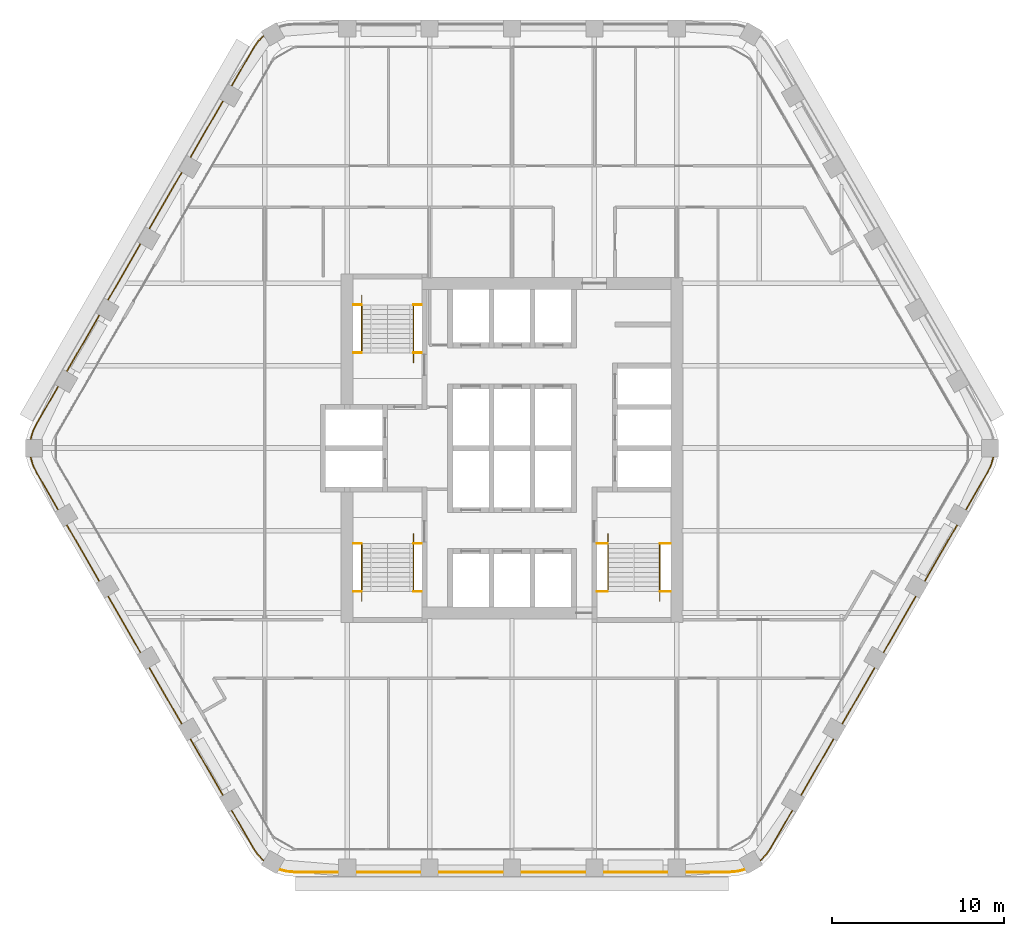
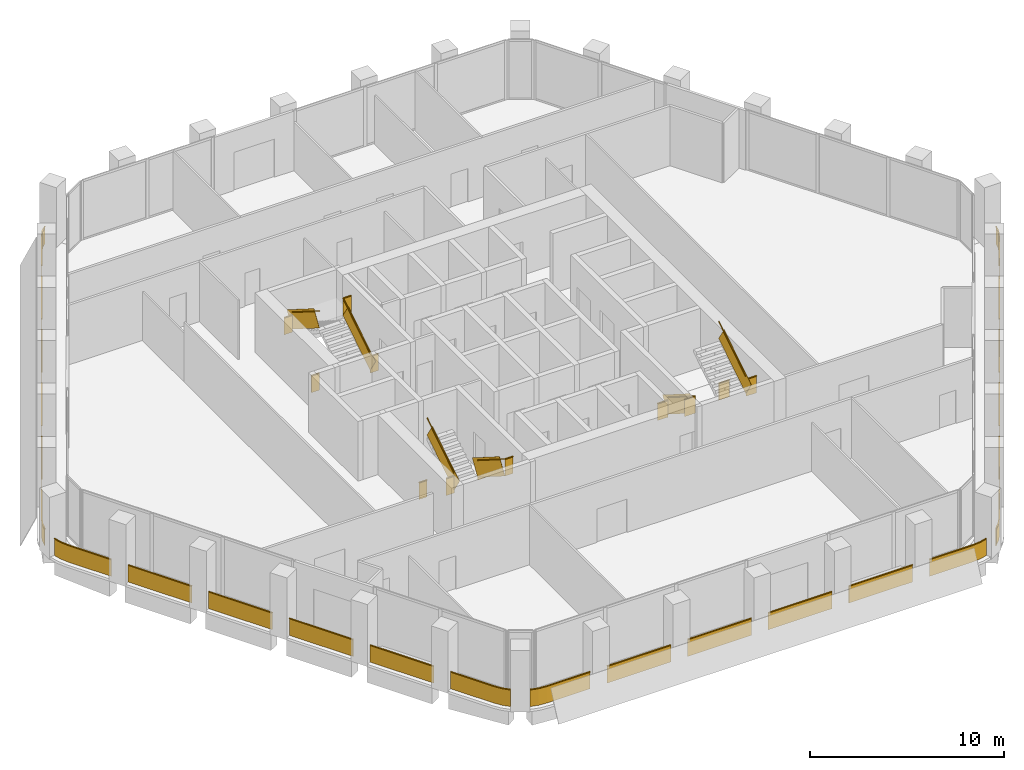
# One storey, part 14 of 15: 10 railings.
"""IFC4 building model written with IfcOpenShell, lengths in metres."""

import ifcopenshell
import ifcopenshell.guid

model = None  # the IFC model being written
_history = None  # IfcOwnerHistory: only IFC2X3 demands one
_inside = {}  # id of a spatial element -> (the spatial element, [elements in it])
_under = {}  # id of a project, library or spatial element -> (it, [spatial elements below it])
_declared = {}  # id of a project -> (the project, [libraries it declares])
_typed = {}  # id of a type object -> (the type object, [elements of that type])
_made_of = {}  # id of a material, layer set ... -> (it, [elements and type objects made of it])


def new_model(schema):
    """Start an empty IFC model of exactly this schema.

    Asked for "IFC4X3", IfcOpenShell would pick the latest addendum, in which some entities
    have other attributes; the version numbers below select the first issue.
    IFC2X3 requires an IfcOwnerHistory on every rooted entity: one is made here for all.
    """
    global model, _history
    if schema == "IFC4X3":
        model = ifcopenshell.file(schema_version=(4, 3, 0, 0))
    else:
        model = ifcopenshell.file(schema=schema)
    _inside.clear()
    _under.clear()
    _declared.clear()
    _typed.clear()
    _made_of.clear()
    _history = None
    if model.schema == "IFC2X3":
        org = make("IfcOrganization", Name="unknown")
        user = make(
            "IfcPersonAndOrganization",
            ThePerson=make("IfcPerson", FamilyName="unknown"),
            TheOrganization=org,
        )
        app = make(
            "IfcApplication",
            ApplicationDeveloper=org,
            Version="unknown",
            ApplicationFullName="unknown",
            ApplicationIdentifier="unknown",
        )
        _history = make(
            "IfcOwnerHistory",
            OwningUser=user,
            OwningApplication=app,
            ChangeAction="ADDED",
            CreationDate=0,
        )
    return model


def make(cls, **values):
    """One entity of the class cls with the attributes given. An attribute that is None is left unset."""
    return model.create_entity(
        cls, **{name: value for name, value in values.items() if value is not None}
    )


def rooted(cls, **values):
    """An entity with a GlobalId (a new one), such as an element, a storey or a relation."""
    return make(cls, GlobalId=ifcopenshell.guid.new(), OwnerHistory=_history, **values)


def si_unit(unit_type, name, prefix=None):
    """IfcSIUnit, for example si_unit("LENGTHUNIT", "METRE", prefix="MILLI")."""
    return make("IfcSIUnit", UnitType=unit_type, Prefix=prefix, Name=name)


def assignment(units):
    """IfcUnitAssignment: the units of a project."""
    return None if units is None else make("IfcUnitAssignment", Units=units)


def point(xyz):
    """IfcCartesianPoint."""
    return None if xyz is None else make("IfcCartesianPoint", Coordinates=xyz)


def direction(xyz):
    """IfcDirection."""
    return None if xyz is None else make("IfcDirection", DirectionRatios=xyz)


def frame(location, z_axis=None, x_axis=None):
    """IfcAxis2Placement3D, a coordinate frame: its origin and axes. An axis left out is left unset."""
    return make(
        "IfcAxis2Placement3D",
        Location=point(location),
        Axis=direction(z_axis),
        RefDirection=direction(x_axis),
    )


def frame_2d(location, x_axis=None):
    """IfcAxis2Placement2D, a coordinate frame in the plane: its origin and x axis."""
    return make(
        "IfcAxis2Placement2D", Location=point(location), RefDirection=direction(x_axis)
    )


def origin():
    """The frame at (0, 0, 0) with its axes left unset."""
    return frame((0.0, 0.0, 0.0))


def origin_2d():
    """The frame at (0, 0) in the plane with its x axis left unset."""
    return frame_2d((0.0, 0.0))


def place(relative_to, where):
    """IfcLocalPlacement: puts the frame where relative to a parent placement (None: the world)."""
    return make(
        "IfcLocalPlacement", PlacementRelTo=relative_to, RelativePlacement=where
    )


def context(
    kind, dimensions, precision=None, world=None, true_north=None, identifier=None
):
    """IfcGeometricRepresentationContext, for example the 3D "Model" context."""
    return make(
        "IfcGeometricRepresentationContext",
        ContextIdentifier=identifier,
        ContextType=kind,
        CoordinateSpaceDimension=dimensions,
        Precision=precision,
        WorldCoordinateSystem=world,
        TrueNorth=true_north,
    )


def subcontext(parent, identifier, kind, view, scale=None):
    """IfcGeometricRepresentationSubContext, for example "Body" below "Model"."""
    return make(
        "IfcGeometricRepresentationSubContext",
        ContextIdentifier=identifier,
        ContextType=kind,
        ParentContext=parent,
        TargetScale=scale,
        TargetView=view,
    )


def project(units=None, contexts=None):
    """IfcProject with its units and contexts."""
    return rooted(
        "IfcProject",
        Name="project",
        RepresentationContexts=contexts,
        UnitsInContext=assignment(units),
    )


def spatial(cls, under=None, at=None, **own):
    """A site, building, storey or space (cls), placed at a placement, below another one or the project."""
    s = rooted(cls, ObjectPlacement=at, **own)
    if under is not None:
        _under.setdefault(under.id(), (under, []))[1].append(s)
    return s


def profile(cls, at=None, kind="AREA", **sizes):
    """A parametric profile (cls). Its sizes go by their IFC names, for example OverallWidth=200.0."""
    return make(cls, ProfileType=kind, Position=at, **sizes)


def rectangle(**sizes):
    """IfcRectangleProfileDef."""
    return profile("IfcRectangleProfileDef", **sizes)


def extrude(swept, where, along, depth):
    """IfcExtrudedAreaSolid: the profile swept, set in the frame where, extruded along a direction by depth."""
    return make(
        "IfcExtrudedAreaSolid",
        SweptArea=swept,
        Position=where,
        ExtrudedDirection=direction(along),
        Depth=depth,
    )


def shape(context_of_items, identifier, shape_type, items):
    """IfcShapeRepresentation: the items that make up one representation, for example the "Body"."""
    return make(
        "IfcShapeRepresentation",
        ContextOfItems=context_of_items,
        RepresentationIdentifier=identifier,
        RepresentationType=shape_type,
        Items=items,
    )


def material(Name=None, Category=None):
    """IfcMaterial."""
    return make("IfcMaterial", Name=Name, Category=Category)


def made_of(thing, what):
    """Note that an element or type object is made of a material, layer set ...; save() writes the relation."""
    if what is not None:
        _made_of.setdefault(what.id(), (what, []))[1].append(thing)
    return thing


def type_object(cls, material=None, **own):
    """A type object (cls), such as IfcWallType, which elements share."""
    return made_of(rooted(cls, **own), material)


def element(
    cls,
    number,
    at=None,
    inside=None,
    cuts=None,
    type_object=None,
    material=None,
    context=None,
    identifier="Body",
    shape_type=None,
    held_by="IfcProductDefinitionShape",
    body=None,
    shapes=None,
    **own,
):
    """One element of the class cls, such as IfcWall. Its Tag is "e" and its number.

    at: its placement. inside: the storey or other place that contains it. cuts: it is an
    opening in that element (IfcRelVoidsElement). A single representation is given by context,
    identifier, shape_type and body (its items); several are given by shapes. held_by: the class
    of the entity that holds the representations. save() writes the other relations.
    """
    e = rooted(cls, Tag="e%d" % number, ObjectPlacement=at, **own)
    if body is not None:
        shapes = [shape(context, identifier, shape_type, body)]
    if shapes is not None:
        e.Representation = make(held_by, Representations=shapes)
    if inside is not None:
        _inside.setdefault(inside.id(), (inside, []))[1].append(e)
    if cuts is not None:
        rooted(
            "IfcRelVoidsElement", RelatingBuildingElement=cuts, RelatedOpeningElement=e
        )
    if type_object is not None:
        _typed.setdefault(type_object.id(), (type_object, []))[1].append(e)
    return made_of(e, material)


def aggregate(whole, parts):
    """IfcRelAggregates: a whole, such as a stair, and the parts it consists of."""
    return rooted("IfcRelAggregates", RelatingObject=whole, RelatedObjects=parts)


def save(model, path):
    """Write the relations noted so far, then the file.

    IfcRelAggregates (storeys below a building ...), IfcRelContainedInSpatialStructure (elements
    in a storey), IfcRelDefinesByType, IfcRelAssociatesMaterial and IfcRelDeclares: one each for
    every whole, place, type object, material and project.
    """
    for whole, parts in _under.values():
        aggregate(whole, parts)
    for where, things in _inside.values():
        rooted(
            "IfcRelContainedInSpatialStructure",
            RelatedElements=things,
            RelatingStructure=where,
        )
    for kind, things in _typed.values():
        rooted("IfcRelDefinesByType", RelatedObjects=things, RelatingType=kind)
    for what, things in _made_of.values():
        rooted("IfcRelAssociatesMaterial", RelatedObjects=things, RelatingMaterial=what)
    for by, libraries in _declared.values():
        rooted("IfcRelDeclares", RelatingContext=by, RelatedDefinitions=libraries)
    model.write(path)


model = new_model("IFC4")

# Units and contexts
model_context = context("Model", 3, precision=1e-05, world=origin(), true_north=direction((0.0, 1.0)))
body_context = subcontext(model_context, "Body", "Model", "MODEL_VIEW")
ifc_project = project(units=[si_unit("LENGTHUNIT", "METRE"), si_unit("AREAUNIT", "SQUARE_METRE"), si_unit("VOLUMEUNIT", "CUBIC_METRE"), si_unit("PLANEANGLEUNIT", "RADIAN"), si_unit("MASSUNIT", "GRAM", prefix="KILO")], contexts=[model_context])

# Site, building, storey
site_placement = place(None, origin())
site = spatial("IfcSite", under=ifc_project, at=site_placement, CompositionType="ELEMENT")
building_placement = place(site_placement, origin())
building = spatial("IfcBuilding", under=site, at=building_placement, Name="Kolab Exchange Tower", CompositionType="ELEMENT")
storey_placement = place(building_placement, frame((0.0, 0.0, 154.39990234375)))
storey = spatial("IfcBuildingStorey", under=building, at=storey_placement, Name="L31", CompositionType="ELEMENT", Elevation=154.39990234375)

# Railings
ifc_material_1 = material(Name="Stainless steel 316", Category="steel")
railing_type_1 = type_object("IfcRailingType", Name="GUARD 1100", PredefinedType="GUARDRAIL", material=ifc_material_1)
railing_1_placement = place(storey_placement, frame((-9.25, 5.550048828125, 0.0)))
element("IfcRailing", 1, at=railing_1_placement, inside=storey, type_object=railing_type_1, Name="Guard ST1", PredefinedType="GUARDRAIL", context=body_context, shape_type="SweptSolid", body=[
    extrude(rectangle(XDim=0.05, YDim=0.05, at=origin_2d()), frame((0.0, 0.0, 1.0751953125), z_axis=(1.0, 0.0, 0.0), x_axis=(0.0, 1.0, 0.0)), (0.0, 0.0, 1.0), 0.489990234375),
    extrude(rectangle(XDim=0.012, YDim=1.05009765625, at=frame_2d((0.0, 0.525146484375))), frame((0.0, 0.0, 0.0), z_axis=(1.0, 0.0, 0.0), x_axis=(0.0, 1.0, 0.0)), (0.0, 0.0, 1.0), 0.489990234375),
    extrude(rectangle(XDim=0.05, YDim=0.05, at=origin_2d()), frame((3.510009765625, 0.0, 1.0751953125), z_axis=(1.0, 0.0, 0.0), x_axis=(0.0, 1.0, 0.0)), (0.0, 0.0, 1.0), 0.489990234375),
    extrude(rectangle(XDim=0.012, YDim=1.05009765625, at=frame_2d((0.0, 0.525146484375))), frame((3.510009765625, 0.0, 0.0), z_axis=(1.0, 0.0, 0.0), x_axis=(0.0, 1.0, 0.0)), (0.0, 0.0, 1.0), 0.489990234375),
    extrude(rectangle(XDim=0.05, YDim=0.05, at=origin_2d()), frame((0.0, 2.800048828125, 3.025390625), z_axis=(1.0, 0.0, 0.0), x_axis=(0.0, 1.0, 0.0)), (0.0, 0.0, 1.0), 0.489990234375),
    extrude(rectangle(XDim=0.012, YDim=1.05009765625, at=frame_2d((0.0, 0.525146484375))), frame((0.0, 2.800048828125, 1.9501953125), z_axis=(1.0, 0.0, 0.0), x_axis=(0.0, 1.0, 0.0)), (0.0, 0.0, 1.0), 0.489990234375),
    extrude(rectangle(XDim=0.05, YDim=0.05, at=origin_2d()), frame((3.510009765625, 2.800048828125, 3.025390625), z_axis=(1.0, 0.0, 0.0), x_axis=(0.0, 1.0, 0.0)), (0.0, 0.0, 1.0), 0.489990234375),
    extrude(rectangle(XDim=0.012, YDim=1.05009765625, at=frame_2d((0.0, 0.525146484375))), frame((3.510009765625, 2.800048828125, 1.9501953125), z_axis=(1.0, 0.0, 0.0), x_axis=(0.0, 1.0, 0.0)), (0.0, 0.0, 1.0), 0.489990234375),
])
railing_2_placement = place(storey_placement, frame((-5.739990234375, 5.550048828125, 0.177490234375)))
element("IfcRailing", 2, at=railing_2_placement, inside=storey, type_object=railing_type_1, Name="Handrail guard ST1", PredefinedType="GUARDRAIL", context=body_context, shape_type="SweptSolid", body=[
    extrude(rectangle(XDim=0.05, YDim=0.05, at=origin_2d()), frame((0.0, 0.0, 1.0751953125), z_axis=(0.0, 0.844908973607, 0.534910110503), x_axis=(-1.0, 0.0, 0.0)), (0.0, 0.0, 1.0), 3.31396484375),
    extrude(rectangle(XDim=0.012, YDim=1.05009765625, at=frame_2d((0.0, 0.525146484375))), frame((0.0, 0.0, 0.0), z_axis=(0.0, 0.844908973607, 0.534910110503), x_axis=(-1.0, 0.0, 0.0)), (0.0, 0.0, 1.0), 3.31396484375),
    extrude(rectangle(XDim=0.05, YDim=0.05, at=origin_2d()), frame((-3.02001953125, 2.800048828125, 3.025146484375), z_axis=(0.0, -0.844908973607, 0.534910110503), x_axis=(1.0, 0.0, 0.0)), (0.0, 0.0, 1.0), 3.31396484375),
    extrude(rectangle(XDim=0.012, YDim=1.05009765625, at=frame_2d((0.0, 0.525146484375))), frame((-3.02001953125, 2.800048828125, 1.949951171875), z_axis=(0.0, -0.844908973607, 0.534910110503), x_axis=(1.0, 0.0, 0.0)), (0.0, 0.0, 1.0), 3.31396484375),
])
railing_3_placement = place(storey_placement, frame((-9.25, -5.550048828125, 0.0)))
element("IfcRailing", 3, at=railing_3_placement, inside=storey, type_object=railing_type_1, Name="Guard ST3", PredefinedType="GUARDRAIL", context=body_context, shape_type="SweptSolid", body=[
    extrude(rectangle(XDim=0.05, YDim=0.05, at=origin_2d()), frame((0.0, 0.0, 1.0751953125), z_axis=(1.0, 0.0, 0.0), x_axis=(0.0, 1.0, 0.0)), (0.0, 0.0, 1.0), 0.489990234375),
    extrude(rectangle(XDim=0.012, YDim=1.05009765625, at=frame_2d((0.0, 0.525146484375))), frame((0.0, 0.0, 0.0), z_axis=(1.0, 0.0, 0.0), x_axis=(0.0, 1.0, 0.0)), (0.0, 0.0, 1.0), 0.489990234375),
    extrude(rectangle(XDim=0.05, YDim=0.05, at=origin_2d()), frame((3.510009765625, 0.0, 1.0751953125), z_axis=(1.0, 0.0, 0.0), x_axis=(0.0, 1.0, 0.0)), (0.0, 0.0, 1.0), 0.489990234375),
    extrude(rectangle(XDim=0.012, YDim=1.05009765625, at=frame_2d((0.0, 0.525146484375))), frame((3.510009765625, 0.0, 0.0), z_axis=(1.0, 0.0, 0.0), x_axis=(0.0, 1.0, 0.0)), (0.0, 0.0, 1.0), 0.489990234375),
    extrude(rectangle(XDim=0.05, YDim=0.05, at=origin_2d()), frame((0.0, -2.800048828125, 3.025390625), z_axis=(1.0, 0.0, 0.0), x_axis=(0.0, 1.0, 0.0)), (0.0, 0.0, 1.0), 0.489990234375),
    extrude(rectangle(XDim=0.012, YDim=1.05009765625, at=frame_2d((0.0, 0.525146484375))), frame((0.0, -2.800048828125, 1.9501953125), z_axis=(1.0, 0.0, 0.0), x_axis=(0.0, 1.0, 0.0)), (0.0, 0.0, 1.0), 0.489990234375),
    extrude(rectangle(XDim=0.05, YDim=0.05, at=origin_2d()), frame((3.510009765625, -2.800048828125, 3.025390625), z_axis=(1.0, 0.0, 0.0), x_axis=(0.0, 1.0, 0.0)), (0.0, 0.0, 1.0), 0.489990234375),
    extrude(rectangle(XDim=0.012, YDim=1.05009765625, at=frame_2d((0.0, 0.525146484375))), frame((3.510009765625, -2.800048828125, 1.9501953125), z_axis=(1.0, 0.0, 0.0), x_axis=(0.0, 1.0, 0.0)), (0.0, 0.0, 1.0), 0.489990234375),
])
railing_4_placement = place(storey_placement, frame((-5.739990234375, -5.550048828125, 0.177490234375)))
element("IfcRailing", 4, at=railing_4_placement, inside=storey, type_object=railing_type_1, Name="Handrail guard ST3", PredefinedType="GUARDRAIL", context=body_context, shape_type="SweptSolid", body=[
    extrude(rectangle(XDim=0.05, YDim=0.05, at=origin_2d()), frame((0.0, 0.0, 1.0751953125), z_axis=(0.0, -0.844908973607, 0.534910110503), x_axis=(1.0, 0.0, 0.0)), (0.0, 0.0, 1.0), 3.31396484375),
    extrude(rectangle(XDim=0.012, YDim=1.05009765625, at=frame_2d((0.0, 0.525146484375))), frame((0.0, 0.0, 0.0), z_axis=(0.0, -0.844908973607, 0.534910110503), x_axis=(1.0, 0.0, 0.0)), (0.0, 0.0, 1.0), 3.31396484375),
    extrude(rectangle(XDim=0.05, YDim=0.05, at=origin_2d()), frame((-3.02001953125, -2.800048828125, 3.025146484375), z_axis=(0.0, 0.844908973607, 0.534910110503), x_axis=(-1.0, 0.0, 0.0)), (0.0, 0.0, 1.0), 3.31396484375),
    extrude(rectangle(XDim=0.012, YDim=1.05009765625, at=frame_2d((0.0, 0.525146484375))), frame((-3.02001953125, -2.800048828125, 1.949951171875), z_axis=(0.0, 0.844908973607, 0.534910110503), x_axis=(-1.0, 0.0, 0.0)), (0.0, 0.0, 1.0), 3.31396484375),
])
railing_5_placement = place(storey_placement, frame((4.949951171875, -5.550048828125, 0.0)))
element("IfcRailing", 5, at=railing_5_placement, inside=storey, type_object=railing_type_1, Name="Guard ST2", PredefinedType="GUARDRAIL", context=body_context, shape_type="SweptSolid", body=[
    extrude(rectangle(XDim=0.05, YDim=0.05, at=origin_2d()), frame((0.0, 0.0, 1.0751953125), z_axis=(1.0, 0.0, 0.0), x_axis=(0.0, 1.0, 0.0)), (0.0, 0.0, 1.0), 0.64013671875),
    extrude(rectangle(XDim=0.012, YDim=1.05009765625, at=frame_2d((0.0, 0.525146484375))), frame((0.0, 0.0, 0.0), z_axis=(1.0, 0.0, 0.0), x_axis=(0.0, 1.0, 0.0)), (0.0, 0.0, 1.0), 0.64013671875),
    extrude(rectangle(XDim=0.05, YDim=0.05, at=origin_2d()), frame((3.66015625, 0.0, 1.0751953125), z_axis=(1.0, 0.0, 0.0), x_axis=(0.0, 1.0, 0.0)), (0.0, 0.0, 1.0), 0.639892578125),
    extrude(rectangle(XDim=0.012, YDim=1.05009765625, at=frame_2d((0.0, 0.525146484375))), frame((3.66015625, 0.0, 0.0), z_axis=(1.0, 0.0, 0.0), x_axis=(0.0, 1.0, 0.0)), (0.0, 0.0, 1.0), 0.639892578125),
    extrude(rectangle(XDim=0.05, YDim=0.05, at=origin_2d()), frame((0.0, -2.800048828125, 3.025390625), z_axis=(1.0, 0.0, 0.0), x_axis=(0.0, 1.0, 0.0)), (0.0, 0.0, 1.0), 0.64013671875),
    extrude(rectangle(XDim=0.012, YDim=1.05009765625, at=frame_2d((0.0, 0.525146484375))), frame((0.0, -2.800048828125, 1.9501953125), z_axis=(1.0, 0.0, 0.0), x_axis=(0.0, 1.0, 0.0)), (0.0, 0.0, 1.0), 0.64013671875),
    extrude(rectangle(XDim=0.05, YDim=0.05, at=origin_2d()), frame((3.66015625, -2.800048828125, 3.025390625), z_axis=(1.0, 0.0, 0.0), x_axis=(0.0, 1.0, 0.0)), (0.0, 0.0, 1.0), 0.639892578125),
    extrude(rectangle(XDim=0.012, YDim=1.05009765625, at=frame_2d((0.0, 0.525146484375))), frame((3.66015625, -2.800048828125, 1.9501953125), z_axis=(1.0, 0.0, 0.0), x_axis=(0.0, 1.0, 0.0)), (0.0, 0.0, 1.0), 0.639892578125),
])
railing_6_placement = place(storey_placement, frame((5.590087890625, -5.550048828125, 0.177490234375)))
element("IfcRailing", 6, at=railing_6_placement, inside=storey, type_object=railing_type_1, Name="Handrail guard ST2", PredefinedType="GUARDRAIL", context=body_context, shape_type="SweptSolid", body=[
    extrude(rectangle(XDim=0.05, YDim=0.05, at=origin_2d()), frame((0.0, 0.0, 1.0751953125), z_axis=(0.0, -0.844908973607, 0.534910110503), x_axis=(1.0, 0.0, 0.0)), (0.0, 0.0, 1.0), 3.31396484375),
    extrude(rectangle(XDim=0.012, YDim=1.05009765625, at=frame_2d((0.0, 0.525146484375))), frame((0.0, 0.0, 0.0), z_axis=(0.0, -0.844908973607, 0.534910110503), x_axis=(1.0, 0.0, 0.0)), (0.0, 0.0, 1.0), 3.31396484375),
    extrude(rectangle(XDim=0.05, YDim=0.05, at=origin_2d()), frame((3.02001953125, -2.800048828125, 3.025146484375), z_axis=(0.0, 0.844908973607, 0.534910110503), x_axis=(-1.0, 0.0, 0.0)), (0.0, 0.0, 1.0), 3.31396484375),
    extrude(rectangle(XDim=0.012, YDim=1.05009765625, at=frame_2d((0.0, 0.525146484375))), frame((3.02001953125, -2.800048828125, 1.949951171875), z_axis=(0.0, 0.844908973607, 0.534910110503), x_axis=(-1.0, 0.0, 0.0)), (0.0, 0.0, 1.0), 3.31396484375),
])
ifc_material_2 = material(Name="Steel S235", Category="steel")
railing_type_2 = type_object("IfcRailingType", Name="GUARD 1100 GLASS BALUSTRADE AND STEEL TOP RAIL", PredefinedType="GUARDRAIL", material=ifc_material_2)
railing_7_placement = place(storey_placement, frame((14.4501953125, -24.033447265625, 0.0)))
element("IfcRailing", 7, at=railing_7_placement, inside=storey, type_object=railing_type_2, Name="Guard", PredefinedType="GUARDRAIL", context=body_context, shape_type="SweptSolid", body=[
    extrude(rectangle(XDim=0.05, YDim=0.05, at=origin_2d()), frame((0.0, 0.0, 1.0751953125), z_axis=(0.70737286085, 0.706840601361, 0.0), x_axis=(-0.706840601361, 0.70737286085, 0.0)), (0.0, 0.0, 1.0), 0.458740234375),
    extrude(rectangle(XDim=0.012, YDim=1.05009765625, at=frame_2d((0.0, 0.525146484375))), frame((0.0, 0.0, 0.0), z_axis=(0.70737286085, 0.706840601361, 0.0), x_axis=(-0.706840601361, 0.70737286085, 0.0)), (0.0, 0.0, 1.0), 0.458740234375),
    extrude(rectangle(XDim=0.05, YDim=0.05, at=origin_2d()), frame((0.324462890625, 0.32421875, 1.0751953125), z_axis=(0.573599091554, 0.819136180478, 0.0), x_axis=(-0.819136180478, 0.573599091554, 0.0)), (0.0, 0.0, 1.0), 0.479248046875),
    extrude(rectangle(XDim=0.012, YDim=1.05009765625, at=frame_2d((0.0, 0.525146484375))), frame((0.324462890625, 0.32421875, 0.0), z_axis=(0.573599091554, 0.819136180478, 0.0), x_axis=(-0.819136180478, 0.573599091554, 0.0)), (0.0, 0.0, 1.0), 0.479248046875),
    extrude(rectangle(XDim=0.05, YDim=0.05, at=origin_2d()), frame((0.599365234375, 0.716796875, 1.0751953125), z_axis=(0.499952873616, 0.866052610505, 0.0), x_axis=(-0.866052610505, 0.499952873616, 0.0)), (0.0, 0.0, 1.0), 2.568115234375),
    extrude(rectangle(XDim=0.012, YDim=1.05009765625, at=frame_2d((0.0, 0.525146484375))), frame((0.599365234375, 0.716796875, 0.0), z_axis=(0.499952873616, 0.866052610505, 0.0), x_axis=(-0.866052610505, 0.499952873616, 0.0)), (0.0, 0.0, 1.0), 2.568115234375),
    extrude(rectangle(XDim=0.05, YDim=0.05, at=origin_2d()), frame((2.38330078125, 3.806884765625, 1.0751953125), z_axis=(0.499994975061, 0.866028304915, 0.0), x_axis=(-0.866028304915, 0.499994975061, 0.0)), (0.0, 0.0, 1.0), 3.7998046875),
    extrude(rectangle(XDim=0.012, YDim=1.05009765625, at=frame_2d((0.0, 0.525146484375))), frame((2.38330078125, 3.806884765625, 0.0), z_axis=(0.499994975061, 0.866028304915, 0.0), x_axis=(-0.866028304915, 0.499994975061, 0.0)), (0.0, 0.0, 1.0), 3.7998046875),
    extrude(rectangle(XDim=0.05, YDim=0.05, at=origin_2d()), frame((4.783203125, 7.9638671875, 1.0751953125), z_axis=(0.500043160704, 0.866000483506, 0.0), x_axis=(-0.866000483506, 0.500043160704, 0.0)), (0.0, 0.0, 1.0), 3.800048828125),
    extrude(rectangle(XDim=0.012, YDim=1.05009765625, at=frame_2d((0.0, 0.525146484375))), frame((4.783203125, 7.9638671875, 0.0), z_axis=(0.500043160704, 0.866000483506, 0.0), x_axis=(-0.866000483506, 0.500043160704, 0.0)), (0.0, 0.0, 1.0), 3.800048828125),
    extrude(rectangle(XDim=0.05, YDim=0.05, at=origin_2d()), frame((7.183349609375, 12.12060546875, 1.0751953125), z_axis=(0.499967155389, 0.866044365799, 0.0), x_axis=(-0.866044365799, 0.499967155389, 0.0)), (0.0, 0.0, 1.0), 3.800048828125),
    extrude(rectangle(XDim=0.012, YDim=1.05009765625, at=frame_2d((0.0, 0.525146484375))), frame((7.183349609375, 12.12060546875, 0.0), z_axis=(0.499967155389, 0.866044365799, 0.0), x_axis=(-0.866044365799, 0.499967155389, 0.0)), (0.0, 0.0, 1.0), 3.800048828125),
    extrude(rectangle(XDim=0.05, YDim=0.05, at=origin_2d()), frame((9.583251953125, 16.277587890625, 1.0751953125), z_axis=(0.500015340139, 0.86601654697, 0.0), x_axis=(-0.86601654697, 0.500015340139, 0.0)), (0.0, 0.0, 1.0), 3.80029296875),
    extrude(rectangle(XDim=0.012, YDim=1.05009765625, at=frame_2d((0.0, 0.525146484375))), frame((9.583251953125, 16.277587890625, 0.0), z_axis=(0.500015340139, 0.86601654697, 0.0), x_axis=(-0.86601654697, 0.500015340139, 0.0)), (0.0, 0.0, 1.0), 3.80029296875),
    extrude(rectangle(XDim=0.05, YDim=0.05, at=origin_2d()), frame((11.9833984375, 20.4345703125, 1.0751953125), z_axis=(0.499994038704, 0.866028845513, 0.0), x_axis=(-0.866028845513, 0.499994038704, 0.0)), (0.0, 0.0, 1.0), 2.56787109375),
    extrude(rectangle(XDim=0.012, YDim=1.05009765625, at=frame_2d((0.0, 0.525146484375))), frame((11.9833984375, 20.4345703125, 0.0), z_axis=(0.499994038704, 0.866028845513, 0.0), x_axis=(-0.866028845513, 0.499994038704, 0.0)), (0.0, 0.0, 1.0), 2.56787109375),
    extrude(rectangle(XDim=0.05, YDim=0.05, at=origin_2d()), frame((13.267333984375, 22.658447265625, 1.0751953125), z_axis=(0.422801802984, 0.906222177721, 0.0), x_axis=(-0.906222177721, 0.422801802984, 0.0)), (0.0, 0.0, 1.0), 0.479248046875),
    extrude(rectangle(XDim=0.012, YDim=1.05009765625, at=frame_2d((0.0, 0.525146484375))), frame((13.267333984375, 22.658447265625, 0.0), z_axis=(0.422801802984, 0.906222177721, 0.0), x_axis=(-0.906222177721, 0.422801802984, 0.0)), (0.0, 0.0, 1.0), 0.479248046875),
    extrude(rectangle(XDim=0.05, YDim=0.05, at=origin_2d()), frame((13.469970703125, 23.0927734375, 1.0751953125), z_axis=(0.25865627591, 0.965969425465, 0.0), x_axis=(-0.965969425465, 0.25865627591, 0.0)), (0.0, 0.0, 1.0), 0.458740234375),
    extrude(rectangle(XDim=0.012, YDim=1.05009765625, at=frame_2d((0.0, 0.525146484375))), frame((13.469970703125, 23.0927734375, 0.0), z_axis=(0.25865627591, 0.965969425465, 0.0), x_axis=(-0.965969425465, 0.25865627591, 0.0)), (0.0, 0.0, 1.0), 0.458740234375),
])
railing_8_placement = place(storey_placement, frame((-13.588623046875, -24.531005859375, 0.0)))
element("IfcRailing", 8, at=railing_8_placement, inside=storey, type_object=railing_type_2, Name="Guard", PredefinedType="GUARDRAIL", context=body_context, shape_type="SweptSolid", body=[
    extrude(rectangle(XDim=0.05, YDim=0.05, at=origin_2d()), frame((0.0, 0.0, 1.0751953125), z_axis=(0.965969425465, -0.25865627591, 0.0), x_axis=(0.25865627591, 0.965969425465, 0.0)), (0.0, 0.0, 1.0), 0.458740234375),
    extrude(rectangle(XDim=0.012, YDim=1.05009765625, at=frame_2d((0.0, 0.525146484375))), frame((0.0, 0.0, 0.0), z_axis=(0.965969425465, -0.25865627591, 0.0), x_axis=(0.25865627591, 0.965969425465, 0.0)), (0.0, 0.0, 1.0), 0.458740234375),
    extrude(rectangle(XDim=0.05, YDim=0.05, at=origin_2d()), frame((0.443115234375, -0.11865234375, 1.0751953125), z_axis=(0.996156034798, -0.087596542937, 0.0), x_axis=(0.087596542937, 0.996156034798, 0.0)), (0.0, 0.0, 1.0), 0.4794921875),
    extrude(rectangle(XDim=0.012, YDim=1.05009765625, at=frame_2d((0.0, 0.525146484375))), frame((0.443115234375, -0.11865234375, 0.0), z_axis=(0.996156034798, -0.087596542937, 0.0), x_axis=(0.087596542937, 0.996156034798, 0.0)), (0.0, 0.0, 1.0), 0.4794921875),
    extrude(rectangle(XDim=0.05, YDim=0.05, at=origin_2d()), frame((0.920654296875, -0.16064453125, 1.0751953125), z_axis=(1.0, 0.0, 0.0), x_axis=(0.0, 1.0, 0.0)), (0.0, 0.0, 1.0), 2.56787109375),
    extrude(rectangle(XDim=0.012, YDim=1.05009765625, at=frame_2d((0.0, 0.525146484375))), frame((0.920654296875, -0.16064453125, 0.0), z_axis=(1.0, 0.0, 0.0), x_axis=(0.0, 1.0, 0.0)), (0.0, 0.0, 1.0), 2.56787109375),
    extrude(rectangle(XDim=0.05, YDim=0.05, at=origin_2d()), frame((4.488525390625, -0.16064453125, 1.0751953125), z_axis=(1.0, 0.0, 0.0), x_axis=(0.0, 1.0, 0.0)), (0.0, 0.0, 1.0), 3.800048828125),
    extrude(rectangle(XDim=0.012, YDim=1.05009765625, at=frame_2d((0.0, 0.525146484375))), frame((4.488525390625, -0.16064453125, 0.0), z_axis=(1.0, 0.0, 0.0), x_axis=(0.0, 1.0, 0.0)), (0.0, 0.0, 1.0), 3.800048828125),
    extrude(rectangle(XDim=0.05, YDim=0.05, at=origin_2d()), frame((9.28857421875, -0.16064453125, 1.0751953125), z_axis=(1.0, 0.0, 0.0), x_axis=(0.0, 1.0, 0.0)), (0.0, 0.0, 1.0), 3.800048828125),
    extrude(rectangle(XDim=0.012, YDim=1.05009765625, at=frame_2d((0.0, 0.525146484375))), frame((9.28857421875, -0.16064453125, 0.0), z_axis=(1.0, 0.0, 0.0), x_axis=(0.0, 1.0, 0.0)), (0.0, 0.0, 1.0), 3.800048828125),
    extrude(rectangle(XDim=0.05, YDim=0.05, at=origin_2d()), frame((14.088623046875, -0.16064453125, 1.0751953125), z_axis=(1.0, 0.0, 0.0), x_axis=(0.0, 1.0, 0.0)), (0.0, 0.0, 1.0), 3.800048828125),
    extrude(rectangle(XDim=0.012, YDim=1.05009765625, at=frame_2d((0.0, 0.525146484375))), frame((14.088623046875, -0.16064453125, 0.0), z_axis=(1.0, 0.0, 0.0), x_axis=(0.0, 1.0, 0.0)), (0.0, 0.0, 1.0), 3.800048828125),
    extrude(rectangle(XDim=0.05, YDim=0.05, at=origin_2d()), frame((18.888671875, -0.16064453125, 1.0751953125), z_axis=(1.0, 0.0, 0.0), x_axis=(0.0, 1.0, 0.0)), (0.0, 0.0, 1.0), 3.800048828125),
    extrude(rectangle(XDim=0.012, YDim=1.05009765625, at=frame_2d((0.0, 0.525146484375))), frame((18.888671875, -0.16064453125, 0.0), z_axis=(1.0, 0.0, 0.0), x_axis=(0.0, 1.0, 0.0)), (0.0, 0.0, 1.0), 3.800048828125),
    extrude(rectangle(XDim=0.05, YDim=0.05, at=origin_2d()), frame((23.688720703125, -0.16064453125, 1.0751953125), z_axis=(1.0, 0.0, 0.0), x_axis=(0.0, 1.0, 0.0)), (0.0, 0.0, 1.0), 2.56787109375),
    extrude(rectangle(XDim=0.012, YDim=1.05009765625, at=frame_2d((0.0, 0.525146484375))), frame((23.688720703125, -0.16064453125, 0.0), z_axis=(1.0, 0.0, 0.0), x_axis=(0.0, 1.0, 0.0)), (0.0, 0.0, 1.0), 2.56787109375),
    extrude(rectangle(XDim=0.05, YDim=0.05, at=origin_2d()), frame((26.256591796875, -0.16064453125, 1.0751953125), z_axis=(0.996156034798, 0.087596542937, 0.0), x_axis=(-0.087596542937, 0.996156034798, 0.0)), (0.0, 0.0, 1.0), 0.4794921875),
    extrude(rectangle(XDim=0.012, YDim=1.05009765625, at=frame_2d((0.0, 0.525146484375))), frame((26.256591796875, -0.16064453125, 0.0), z_axis=(0.996156034798, 0.087596542937, 0.0), x_axis=(-0.087596542937, 0.996156034798, 0.0)), (0.0, 0.0, 1.0), 0.4794921875),
    extrude(rectangle(XDim=0.05, YDim=0.05, at=origin_2d()), frame((26.734130859375, -0.11865234375, 1.0751953125), z_axis=(0.965969425465, 0.25865627591, 0.0), x_axis=(-0.25865627591, 0.965969425465, 0.0)), (0.0, 0.0, 1.0), 0.458740234375),
    extrude(rectangle(XDim=0.012, YDim=1.05009765625, at=frame_2d((0.0, 0.525146484375))), frame((26.734130859375, -0.11865234375, 0.0), z_axis=(0.965969425465, 0.25865627591, 0.0), x_axis=(-0.25865627591, 0.965969425465, 0.0)), (0.0, 0.0, 1.0), 0.458740234375),
])
railing_9_placement = place(storey_placement, frame((-28.038818359375, -0.49755859375, 0.0)))
element("IfcRailing", 9, at=railing_9_placement, inside=storey, type_object=railing_type_2, Name="Guard", PredefinedType="GUARDRAIL", context=body_context, shape_type="SweptSolid", body=[
    extrude(rectangle(XDim=0.05, YDim=0.05, at=origin_2d()), frame((0.0, 0.0, 1.0751953125), z_axis=(0.25865627591, -0.965969425465, 0.0), x_axis=(0.965969425465, 0.25865627591, 0.0)), (0.0, 0.0, 1.0), 0.458740234375),
    extrude(rectangle(XDim=0.012, YDim=1.05009765625, at=frame_2d((0.0, 0.525146484375))), frame((0.0, 0.0, 0.0), z_axis=(0.25865627591, -0.965969425465, 0.0), x_axis=(0.965969425465, 0.25865627591, 0.0)), (0.0, 0.0, 1.0), 0.458740234375),
    extrude(rectangle(XDim=0.05, YDim=0.05, at=origin_2d()), frame((0.11865234375, -0.443115234375, 1.0751953125), z_axis=(0.422801802984, -0.906222177721, 0.0), x_axis=(0.906222177721, 0.422801802984, 0.0)), (0.0, 0.0, 1.0), 0.479248046875),
    extrude(rectangle(XDim=0.012, YDim=1.05009765625, at=frame_2d((0.0, 0.525146484375))), frame((0.11865234375, -0.443115234375, 0.0), z_axis=(0.422801802984, -0.906222177721, 0.0), x_axis=(0.906222177721, 0.422801802984, 0.0)), (0.0, 0.0, 1.0), 0.479248046875),
    extrude(rectangle(XDim=0.05, YDim=0.05, at=origin_2d()), frame((0.3212890625, -0.87744140625, 1.0751953125), z_axis=(0.499994038704, -0.866028845513, 0.0), x_axis=(0.866028845513, 0.499994038704, 0.0)), (0.0, 0.0, 1.0), 2.56787109375),
    extrude(rectangle(XDim=0.012, YDim=1.05009765625, at=frame_2d((0.0, 0.525146484375))), frame((0.3212890625, -0.87744140625, 0.0), z_axis=(0.499994038704, -0.866028845513, 0.0), x_axis=(0.866028845513, 0.499994038704, 0.0)), (0.0, 0.0, 1.0), 2.56787109375),
    extrude(rectangle(XDim=0.05, YDim=0.05, at=origin_2d()), frame((2.105224609375, -3.96728515625, 1.0751953125), z_axis=(0.500015340139, -0.86601654697, 0.0), x_axis=(0.86601654697, 0.500015340139, 0.0)), (0.0, 0.0, 1.0), 3.80029296875),
    extrude(rectangle(XDim=0.012, YDim=1.05009765625, at=frame_2d((0.0, 0.525146484375))), frame((2.105224609375, -3.96728515625, 0.0), z_axis=(0.500015340139, -0.86601654697, 0.0), x_axis=(0.86601654697, 0.500015340139, 0.0)), (0.0, 0.0, 1.0), 3.80029296875),
    extrude(rectangle(XDim=0.05, YDim=0.05, at=origin_2d()), frame((4.50537109375, -8.124267578125, 1.0751953125), z_axis=(0.499967155389, -0.866044365799, 0.0), x_axis=(0.866044365799, 0.499967155389, 0.0)), (0.0, 0.0, 1.0), 3.800048828125),
    extrude(rectangle(XDim=0.012, YDim=1.05009765625, at=frame_2d((0.0, 0.525146484375))), frame((4.50537109375, -8.124267578125, 0.0), z_axis=(0.499967155389, -0.866044365799, 0.0), x_axis=(0.866044365799, 0.499967155389, 0.0)), (0.0, 0.0, 1.0), 3.800048828125),
    extrude(rectangle(XDim=0.05, YDim=0.05, at=origin_2d()), frame((6.9052734375, -12.28125, 1.0751953125), z_axis=(0.500043160704, -0.866000483506, 0.0), x_axis=(0.866000483506, 0.500043160704, 0.0)), (0.0, 0.0, 1.0), 3.800048828125),
    extrude(rectangle(XDim=0.012, YDim=1.05009765625, at=frame_2d((0.0, 0.525146484375))), frame((6.9052734375, -12.28125, 0.0), z_axis=(0.500043160704, -0.866000483506, 0.0), x_axis=(0.866000483506, 0.500043160704, 0.0)), (0.0, 0.0, 1.0), 3.800048828125),
    extrude(rectangle(XDim=0.05, YDim=0.05, at=origin_2d()), frame((9.305419921875, -16.438232421875, 1.0751953125), z_axis=(0.499994975061, -0.866028304915, 0.0), x_axis=(0.866028304915, 0.499994975061, 0.0)), (0.0, 0.0, 1.0), 3.7998046875),
    extrude(rectangle(XDim=0.012, YDim=1.05009765625, at=frame_2d((0.0, 0.525146484375))), frame((9.305419921875, -16.438232421875, 0.0), z_axis=(0.499994975061, -0.866028304915, 0.0), x_axis=(0.866028304915, 0.499994975061, 0.0)), (0.0, 0.0, 1.0), 3.7998046875),
    extrude(rectangle(XDim=0.05, YDim=0.05, at=origin_2d()), frame((11.705322265625, -20.594970703125, 1.0751953125), z_axis=(0.499952873616, -0.866052610505, 0.0), x_axis=(0.866052610505, 0.499952873616, 0.0)), (0.0, 0.0, 1.0), 2.568115234375),
    extrude(rectangle(XDim=0.012, YDim=1.05009765625, at=frame_2d((0.0, 0.525146484375))), frame((11.705322265625, -20.594970703125, 0.0), z_axis=(0.499952873616, -0.866052610505, 0.0), x_axis=(0.866052610505, 0.499952873616, 0.0)), (0.0, 0.0, 1.0), 2.568115234375),
    extrude(rectangle(XDim=0.05, YDim=0.05, at=origin_2d()), frame((12.9892578125, -22.819091796875, 1.0751953125), z_axis=(0.573599091554, -0.819136180478, 0.0), x_axis=(0.819136180478, 0.573599091554, 0.0)), (0.0, 0.0, 1.0), 0.479248046875),
    extrude(rectangle(XDim=0.012, YDim=1.05009765625, at=frame_2d((0.0, 0.525146484375))), frame((12.9892578125, -22.819091796875, 0.0), z_axis=(0.573599091554, -0.819136180478, 0.0), x_axis=(0.819136180478, 0.573599091554, 0.0)), (0.0, 0.0, 1.0), 0.479248046875),
    extrude(rectangle(XDim=0.05, YDim=0.05, at=origin_2d()), frame((13.26416015625, -23.211669921875, 1.0751953125), z_axis=(0.70737286085, -0.706840601361, 0.0), x_axis=(0.706840601361, 0.70737286085, 0.0)), (0.0, 0.0, 1.0), 0.458740234375),
    extrude(rectangle(XDim=0.012, YDim=1.05009765625, at=frame_2d((0.0, 0.525146484375))), frame((13.26416015625, -23.211669921875, 0.0), z_axis=(0.70737286085, -0.706840601361, 0.0), x_axis=(0.706840601361, 0.70737286085, 0.0)), (0.0, 0.0, 1.0), 0.458740234375),
])
railing_10_placement = place(storey_placement, frame((-14.4501953125, 24.033447265625, 0.0)))
element("IfcRailing", 10, at=railing_10_placement, inside=storey, type_object=railing_type_2, Name="Guard", PredefinedType="GUARDRAIL", context=body_context, shape_type="SweptSolid", body=[
    extrude(rectangle(XDim=0.05, YDim=0.05, at=origin_2d()), frame((0.0, 0.0, 1.0751953125), z_axis=(-0.70737286085, -0.706840601361, 0.0), x_axis=(0.706840601361, -0.70737286085, 0.0)), (0.0, 0.0, 1.0), 0.458740234375),
    extrude(rectangle(XDim=0.012, YDim=1.05009765625, at=frame_2d((0.0, 0.525146484375))), frame((0.0, 0.0, 0.0), z_axis=(-0.70737286085, -0.706840601361, 0.0), x_axis=(0.706840601361, -0.70737286085, 0.0)), (0.0, 0.0, 1.0), 0.458740234375),
    extrude(rectangle(XDim=0.05, YDim=0.05, at=origin_2d()), frame((-0.324462890625, -0.32421875, 1.0751953125), z_axis=(-0.573599091554, -0.819136180478, 0.0), x_axis=(0.819136180478, -0.573599091554, 0.0)), (0.0, 0.0, 1.0), 0.479248046875),
    extrude(rectangle(XDim=0.012, YDim=1.05009765625, at=frame_2d((0.0, 0.525146484375))), frame((-0.324462890625, -0.32421875, 0.0), z_axis=(-0.573599091554, -0.819136180478, 0.0), x_axis=(0.819136180478, -0.573599091554, 0.0)), (0.0, 0.0, 1.0), 0.479248046875),
    extrude(rectangle(XDim=0.05, YDim=0.05, at=origin_2d()), frame((-0.599365234375, -0.716796875, 1.0751953125), z_axis=(-0.499952873616, -0.866052610505, 0.0), x_axis=(0.866052610505, -0.499952873616, 0.0)), (0.0, 0.0, 1.0), 2.568115234375),
    extrude(rectangle(XDim=0.012, YDim=1.05009765625, at=frame_2d((0.0, 0.525146484375))), frame((-0.599365234375, -0.716796875, 0.0), z_axis=(-0.499952873616, -0.866052610505, 0.0), x_axis=(0.866052610505, -0.499952873616, 0.0)), (0.0, 0.0, 1.0), 2.568115234375),
    extrude(rectangle(XDim=0.05, YDim=0.05, at=origin_2d()), frame((-2.38330078125, -3.806884765625, 1.0751953125), z_axis=(-0.499994975061, -0.866028304915, 0.0), x_axis=(0.866028304915, -0.499994975061, 0.0)), (0.0, 0.0, 1.0), 3.7998046875),
    extrude(rectangle(XDim=0.012, YDim=1.05009765625, at=frame_2d((0.0, 0.525146484375))), frame((-2.38330078125, -3.806884765625, 0.0), z_axis=(-0.499994975061, -0.866028304915, 0.0), x_axis=(0.866028304915, -0.499994975061, 0.0)), (0.0, 0.0, 1.0), 3.7998046875),
    extrude(rectangle(XDim=0.05, YDim=0.05, at=origin_2d()), frame((-4.783203125, -7.9638671875, 1.0751953125), z_axis=(-0.500043160704, -0.866000483506, 0.0), x_axis=(0.866000483506, -0.500043160704, 0.0)), (0.0, 0.0, 1.0), 3.800048828125),
    extrude(rectangle(XDim=0.012, YDim=1.05009765625, at=frame_2d((0.0, 0.525146484375))), frame((-4.783203125, -7.9638671875, 0.0), z_axis=(-0.500043160704, -0.866000483506, 0.0), x_axis=(0.866000483506, -0.500043160704, 0.0)), (0.0, 0.0, 1.0), 3.800048828125),
    extrude(rectangle(XDim=0.05, YDim=0.05, at=origin_2d()), frame((-7.183349609375, -12.12060546875, 1.0751953125), z_axis=(-0.499967155389, -0.866044365799, 0.0), x_axis=(0.866044365799, -0.499967155389, 0.0)), (0.0, 0.0, 1.0), 3.800048828125),
    extrude(rectangle(XDim=0.012, YDim=1.05009765625, at=frame_2d((0.0, 0.525146484375))), frame((-7.183349609375, -12.12060546875, 0.0), z_axis=(-0.499967155389, -0.866044365799, 0.0), x_axis=(0.866044365799, -0.499967155389, 0.0)), (0.0, 0.0, 1.0), 3.800048828125),
    extrude(rectangle(XDim=0.05, YDim=0.05, at=origin_2d()), frame((-9.583251953125, -16.277587890625, 1.0751953125), z_axis=(-0.500015340139, -0.86601654697, 0.0), x_axis=(0.86601654697, -0.500015340139, 0.0)), (0.0, 0.0, 1.0), 3.80029296875),
    extrude(rectangle(XDim=0.012, YDim=1.05009765625, at=frame_2d((0.0, 0.525146484375))), frame((-9.583251953125, -16.277587890625, 0.0), z_axis=(-0.500015340139, -0.86601654697, 0.0), x_axis=(0.86601654697, -0.500015340139, 0.0)), (0.0, 0.0, 1.0), 3.80029296875),
    extrude(rectangle(XDim=0.05, YDim=0.05, at=origin_2d()), frame((-11.9833984375, -20.4345703125, 1.0751953125), z_axis=(-0.499994038704, -0.866028845513, 0.0), x_axis=(0.866028845513, -0.499994038704, 0.0)), (0.0, 0.0, 1.0), 2.56787109375),
    extrude(rectangle(XDim=0.012, YDim=1.05009765625, at=frame_2d((0.0, 0.525146484375))), frame((-11.9833984375, -20.4345703125, 0.0), z_axis=(-0.499994038704, -0.866028845513, 0.0), x_axis=(0.866028845513, -0.499994038704, 0.0)), (0.0, 0.0, 1.0), 2.56787109375),
    extrude(rectangle(XDim=0.05, YDim=0.05, at=origin_2d()), frame((-13.267333984375, -22.658447265625, 1.0751953125), z_axis=(-0.422801802984, -0.906222177721, 0.0), x_axis=(0.906222177721, -0.422801802984, 0.0)), (0.0, 0.0, 1.0), 0.479248046875),
    extrude(rectangle(XDim=0.012, YDim=1.05009765625, at=frame_2d((0.0, 0.525146484375))), frame((-13.267333984375, -22.658447265625, 0.0), z_axis=(-0.422801802984, -0.906222177721, 0.0), x_axis=(0.906222177721, -0.422801802984, 0.0)), (0.0, 0.0, 1.0), 0.479248046875),
    extrude(rectangle(XDim=0.05, YDim=0.05, at=origin_2d()), frame((-13.469970703125, -23.0927734375, 1.0751953125), z_axis=(-0.25865627591, -0.965969425465, 0.0), x_axis=(0.965969425465, -0.25865627591, 0.0)), (0.0, 0.0, 1.0), 0.458740234375),
    extrude(rectangle(XDim=0.012, YDim=1.05009765625, at=frame_2d((0.0, 0.525146484375))), frame((-13.469970703125, -23.0927734375, 0.0), z_axis=(-0.25865627591, -0.965969425465, 0.0), x_axis=(0.965969425465, -0.25865627591, 0.0)), (0.0, 0.0, 1.0), 0.458740234375),
])

save(model, "model.ifc")
